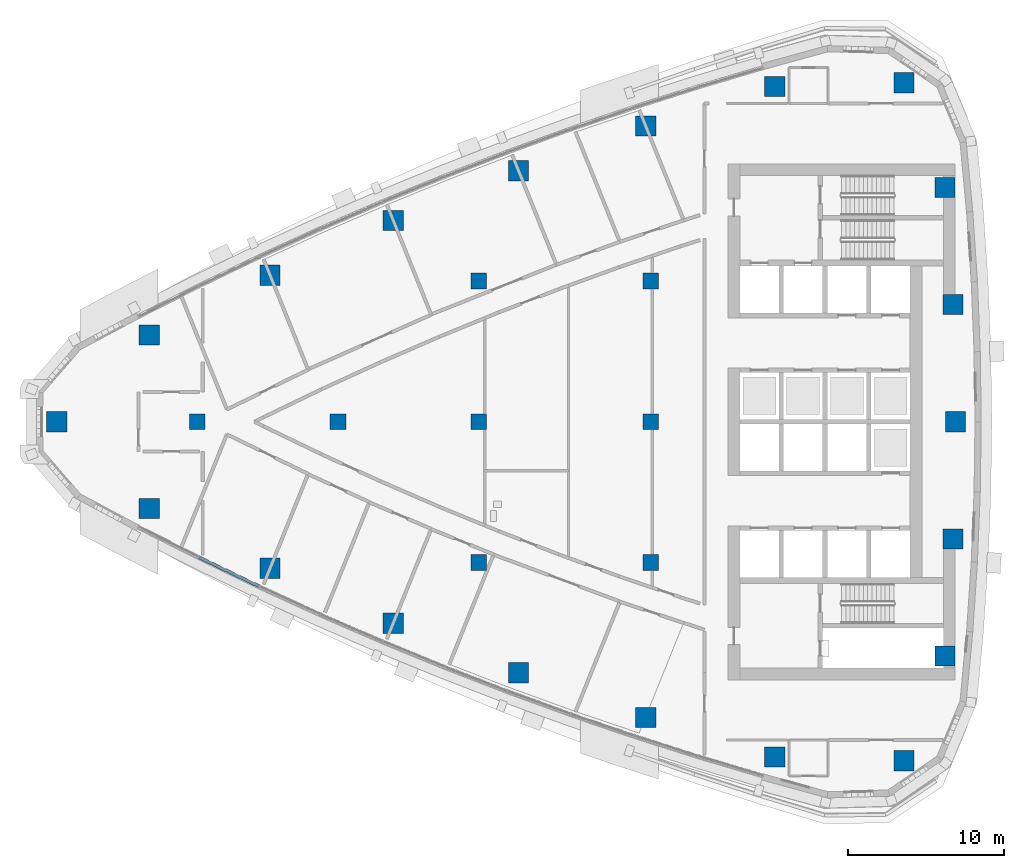
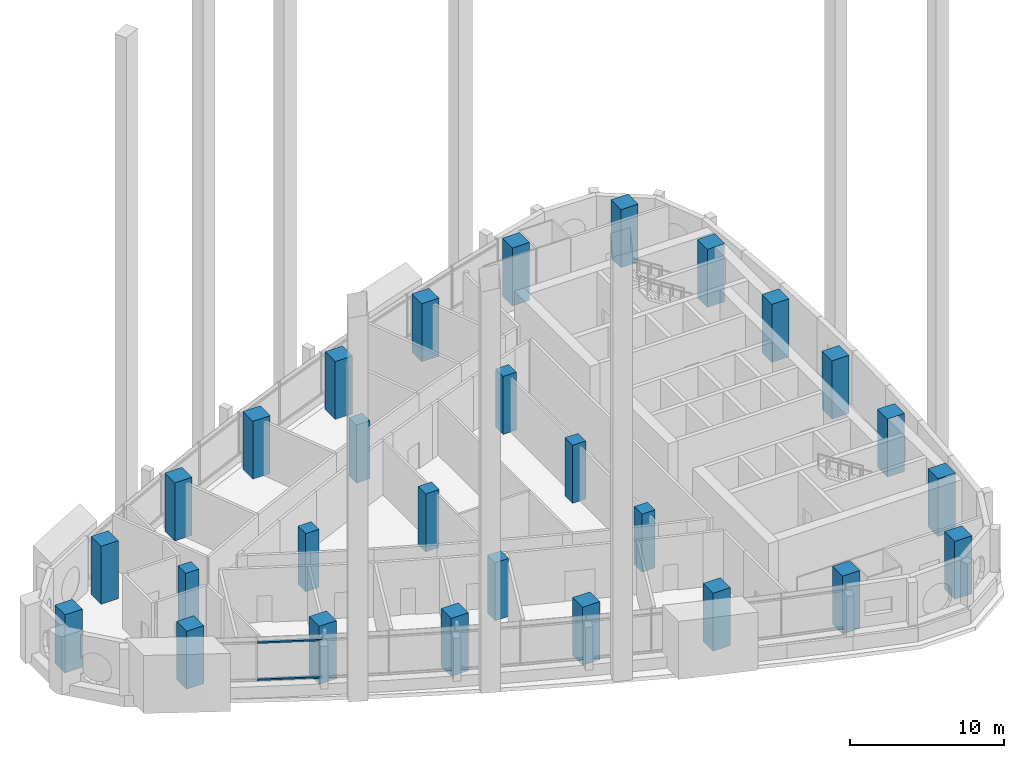
# One storey, part 1 of 19: 28 columns, 2 members, 1 element without a shape of its own.
"""IFC4 building model written with IfcOpenShell, lengths in metres."""

from ifc_helpers import new_model, si_unit, direction, frame, origin, origin_2d, place, context, subcontext, project, spatial, rectangle, extrude, material, layer, layer_set, material_profile, profile_set, type_object, element, aggregate, save


model = new_model("IFC4")

# Units and contexts
model_context = context("Model", 3, precision=1e-05, world=origin(), true_north=direction((0.0, 1.0)))
body_context = subcontext(model_context, "Body", "Model", "MODEL_VIEW")
ifc_project = project(units=[si_unit("LENGTHUNIT", "METRE"), si_unit("AREAUNIT", "SQUARE_METRE"), si_unit("VOLUMEUNIT", "CUBIC_METRE"), si_unit("PLANEANGLEUNIT", "RADIAN"), si_unit("MASSUNIT", "GRAM", prefix="KILO")], contexts=[model_context])

# Site, building, storey
site_placement = place(None, origin())
site = spatial("IfcSite", under=ifc_project, at=site_placement, CompositionType="ELEMENT")
building_placement = place(site_placement, origin())
building = spatial("IfcBuilding", under=site, at=building_placement, Name="Ostrand Prow Hotel Tower", CompositionType="ELEMENT")
storey_placement = place(building_placement, frame((0.0, 0.0, 170.89990234375)))
storey = spatial("IfcBuildingStorey", under=building, at=storey_placement, Name="L42", CompositionType="ELEMENT", Elevation=170.89990234375)

# Columns
ifc_material_1 = material(Name="Concrete C60/75", Category="concrete")
ifc_material_profile_1 = material_profile(ifc_material_1, rectangle(XDim=1.0, YDim=1.0, at=origin_2d()), Name="RC 1000x1000")
ifc_profile_set_1 = profile_set([ifc_material_profile_1], Name="Concrete C60/75")
column_type_1 = type_object("IfcColumnType", Name="Interior column 1000x1000 C60/75", PredefinedType="COLUMN", material=ifc_profile_set_1)
for number, where, z_axis, x_axis, name in (
    (1, (16.0, 0.0, 0.0), (0.0, 0.0, 1.0), (1.0, 0.0, 0.0), "Interior column 16C0"),
    (2, (25.0, 0.0, 0.0), (0.0, 0.0, 1.0), (1.0, 0.0, 0.0), "Interior column 25C0"),
    (3, (34.0, -9.0, 0.0), (0.0, 0.0, 1.0), (1.0, 0.0, 0.0), "Interior column 34S9"),
    (4, (34.0, 0.0, 0.0), (0.0, 0.0, 1.0), (1.0, 0.0, 0.0), "Interior column 34C0"),
    (5, (34.0, 9.0, 0.0), (0.0, 0.0, 1.0), (1.0, 0.0, 0.0), "Interior column 34N9"),
    (6, (45.0, -9.0, 0.0), (0.0, 0.0, 1.0), (1.0, 0.0, 0.0), "Interior column 45S9"),
    (7, (45.0, 0.0, 0.0), (0.0, 0.0, 1.0), (1.0, 0.0, 0.0), "Interior column 45C0"),
    (8, (45.0, 9.0, 0.0), (0.0, 0.0, 1.0), (1.0, 0.0, 0.0), "Interior column 45N9"),
):
    element("IfcColumn", number, at=place(storey_placement, frame(where, z_axis=z_axis, x_axis=x_axis)), inside=storey, type_object=column_type_1, Name=name, PredefinedType="COLUMN", context=body_context, shape_type="SweptSolid", body=[
        extrude(rectangle(XDim=1.0, YDim=1.0, at=origin_2d()), origin(), (0.0, 0.0, 1.0), 4.60009765625),
    ])
ifc_material_2 = material(Name="Concrete C60/75", Category="concrete")
ifc_material_profile_2 = material_profile(ifc_material_2, rectangle(XDim=1.300048828125, YDim=1.300048828125, at=origin_2d()), Name="RC 1300x1300")
ifc_profile_set_2 = profile_set([ifc_material_profile_2], Name="Concrete C60/75")
column_type_2 = type_object("IfcColumnType", Name="Stone-faced mega column 1300x1300 C60/75", PredefinedType="COLUMN", material=ifc_profile_set_2)
for number, where, z_axis, x_axis, name in (
    (9, (7.01708984375, 0.0, 0.0), (0.0, 0.0, 1.0), (1.0, 0.0, 0.0), "Mega column P"),
    (10, (12.9287109375, -5.551513671875, 0.0), (0.0, 0.0, 1.0), (1.0, 0.0, 0.0), "Mega column S1"),
    (11, (20.656982421875, -9.373291015625, 0.0), (0.0, 0.0, 1.0), (1.0, 0.0, 0.0), "Mega column S2"),
    (12, (28.5341796875, -12.878173828125, 0.0), (0.0, 0.0, 1.0), (1.0, 0.0, 0.0), "Mega column S3"),
    (13, (36.547119140625, -16.060791015625, 0.0), (0.0, 0.0, 1.0), (1.0, 0.0, 0.0), "Mega column S4"),
    (14, (44.6826171875, -18.91552734375, 0.0), (0.0, 0.0, 1.0), (1.0, 0.0, 0.0), "Mega column S5"),
    (15, (52.92724609375, -21.43798828125, 0.0), (0.0, 0.0, 1.0), (1.0, 0.0, 0.0), "Mega column S6"),
    (16, (61.198486328125, -21.678955078125, 0.0), (0.0, 0.0, 1.0), (1.0, 0.0, 0.0), "Mega column SE"),
    (17, (63.822021484375, -14.983154296875, 0.0), (0.0, 0.0, 1.0), (1.0, 0.0, 0.0), "Mega column B1"),
    (18, (64.330322265625, -7.499267578125, 0.0), (0.0, 0.0, 1.0), (1.0, 0.0, 0.0), "Mega column B2"),
    (19, (64.5, 0.0, 0.0), (0.0, 0.0, 1.0), (1.0, 0.0, 0.0), "Mega column B3"),
    (20, (64.330322265625, 7.499267578125, 0.0), (0.0, 0.0, 1.0), (1.0, 0.0, 0.0), "Mega column B4"),
    (21, (63.822021484375, 14.983154296875, 0.0), (0.0, 0.0, 1.0), (1.0, 0.0, 0.0), "Mega column B5"),
    (22, (61.198486328125, 21.678955078125, 0.0), (0.0, 0.0, 1.0), (1.0, 0.0, 0.0), "Mega column NE"),
    (23, (52.92724609375, 21.43798828125, 0.0), (0.0, 0.0, 1.0), (1.0, 0.0, 0.0), "Mega column N1"),
    (24, (44.6826171875, 18.91552734375, 0.0), (0.0, 0.0, 1.0), (1.0, 0.0, 0.0), "Mega column N2"),
    (25, (36.547119140625, 16.060791015625, 0.0), (0.0, 0.0, 1.0), (1.0, 0.0, 0.0), "Mega column N3"),
    (26, (28.5341796875, 12.878173828125, 0.0), (0.0, 0.0, 1.0), (1.0, 0.0, 0.0), "Mega column N4"),
    (27, (20.656982421875, 9.373291015625, 0.0), (0.0, 0.0, 1.0), (1.0, 0.0, 0.0), "Mega column N5"),
    (28, (12.9287109375, 5.551513671875, 0.0), (0.0, 0.0, 1.0), (1.0, 0.0, 0.0), "Mega column N6"),
):
    element("IfcColumn", number, at=place(storey_placement, frame(where, z_axis=z_axis, x_axis=x_axis)), inside=storey, type_object=column_type_2, Name=name, PredefinedType="COLUMN", context=body_context, shape_type="SweptSolid", body=[
        extrude(rectangle(XDim=1.300048828125, YDim=1.300048828125, at=origin_2d()), origin(), (0.0, 0.0, 1.0), 4.60009765625),
    ])

# Curtain wall, members
ifc_material_3 = material(Name="Insulated glass in bronze anodised frame", Category="glass")
ifc_layer = layer(ifc_material_3, 0.199951171875)
ifc_layer_set = layer_set([ifc_layer], Name="Insulated glass in bronze anodised frame")
curtain_wall_type = type_object("IfcCurtainWallType", Name="Sky lobby full-height curtain wall", PredefinedType="NOTDEFINED", material=ifc_layer_set)
curtain_wall_placement = place(storey_placement, origin())
curtain_wall = element("IfcCurtainWall", 29, at=curtain_wall_placement, inside=storey, type_object=curtain_wall_type, Name="CW3 run CWS1", PredefinedType="NOTDEFINED")
ifc_material_4 = material(Name="Bronze anodised aluminium", Category="aluminium")
ifc_material_profile_3 = material_profile(ifc_material_4, rectangle(XDim=0.199951171875, YDim=0.1201171875, at=origin_2d()), Name="Transom 120x200 bronze anodised aluminium")
ifc_profile_set_3 = profile_set([ifc_material_profile_3], Name="Bronze anodised aluminium")
member_type = type_object("IfcMemberType", Name="Transom 120x200 bronze anodised aluminium", PredefinedType="USERDEFINED", material=ifc_profile_set_3)
member_1_placement = place(storey_placement, frame((16.12158203125, -8.674072265625, 0.960205078125), z_axis=(0.900619174345, -0.434609137965, 0.0), x_axis=(0.434609137965, 0.900619174345, 0.0)))
member_1 = element("IfcMember", 30, at=member_1_placement, type_object=member_type, Name="CW3 transom 2.1", ObjectType="TRANSOM", PredefinedType="USERDEFINED", context=body_context, shape_type="SweptSolid", body=[
    extrude(rectangle(XDim=0.199951171875, YDim=0.1201171875, at=origin_2d()), origin(), (0.0, 0.0, 1.0), 4.2451171875),
])
member_2_placement = place(storey_placement, frame((16.12158203125, -8.674072265625, 3.900146484375), z_axis=(0.900619174345, -0.434609137965, 0.0), x_axis=(0.434609137965, 0.900619174345, 0.0)))
member_2 = element("IfcMember", 31, at=member_2_placement, type_object=member_type, Name="CW3 transom 2.2", ObjectType="TRANSOM", PredefinedType="USERDEFINED", context=body_context, shape_type="SweptSolid", body=[
    extrude(rectangle(XDim=0.199951171875, YDim=0.1201171875, at=origin_2d()), origin(), (0.0, 0.0, 1.0), 4.2451171875),
])
aggregate(curtain_wall, [member_1, member_2])

save(model, "model.ifc")
